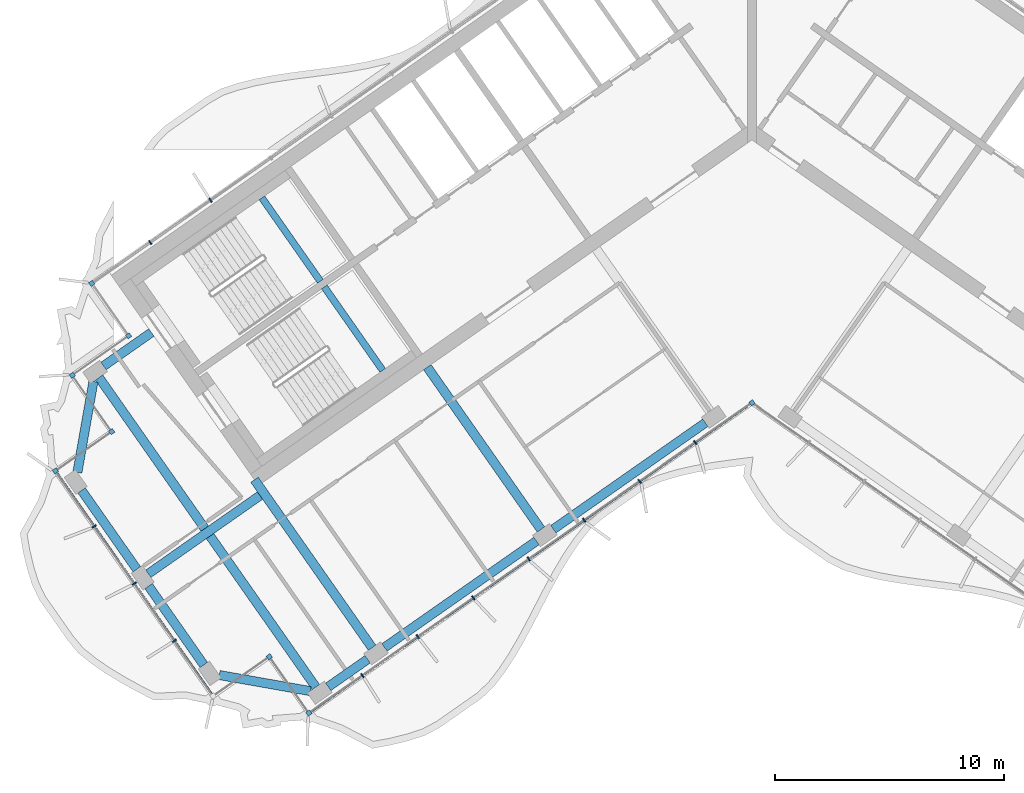
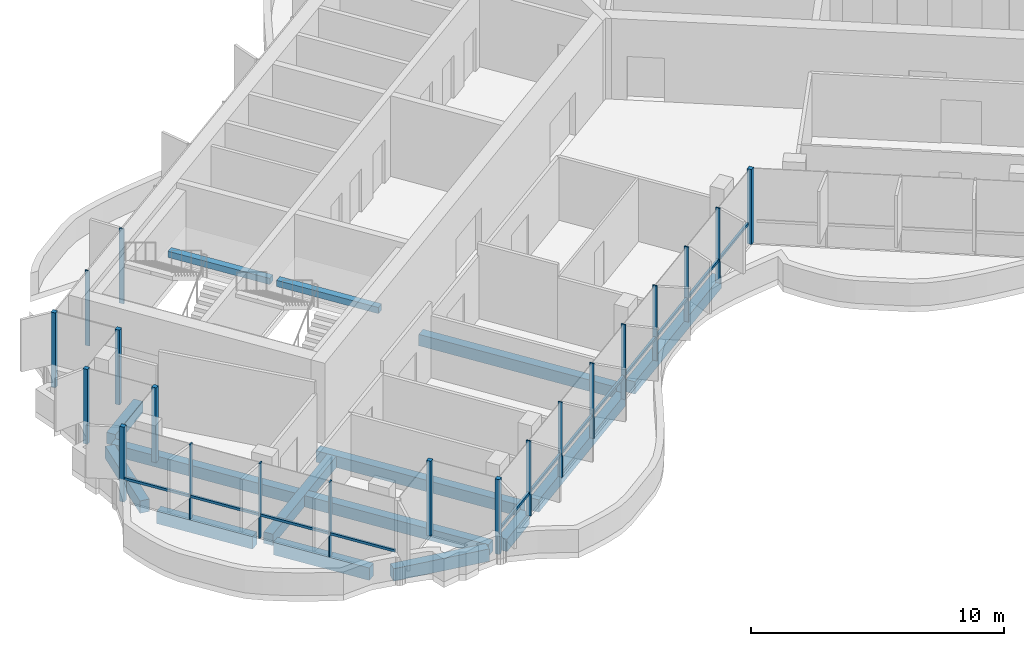
# One storey, part 2 of 18: 22 members, 14 beams, 2 elements without a shape of their own.
"""IFC4 building model written with IfcOpenShell, lengths in metres."""

from ifc_helpers import new_model, si_unit, direction, frame, origin, origin_2d, place, context, subcontext, project, spatial, rectangle, extrude, material, material_profile, profile_set, type_object, element, aggregate, save


model = new_model("IFC4")

# Units and contexts
model_context = context("Model", 3, precision=1e-05, world=origin(), true_north=direction((0.0, 1.0)))
body_context = subcontext(model_context, "Body", "Model", "MODEL_VIEW")
ifc_project = project(units=[si_unit("LENGTHUNIT", "METRE"), si_unit("AREAUNIT", "SQUARE_METRE"), si_unit("VOLUMEUNIT", "CUBIC_METRE"), si_unit("PLANEANGLEUNIT", "RADIAN"), si_unit("MASSUNIT", "GRAM", prefix="KILO")], contexts=[model_context])

# Site, building, storey
site_placement = place(None, origin())
site = spatial("IfcSite", under=ifc_project, at=site_placement, CompositionType="ELEMENT")
building_placement = place(site_placement, origin())
building = spatial("IfcBuilding", under=site, at=building_placement, Name="Tel Ilan Convention Tower", CompositionType="ELEMENT")
storey_placement = place(building_placement, frame((0.0, 0.0, 303.39990234375)))
storey = spatial("IfcBuildingStorey", under=building, at=storey_placement, Name="L72", CompositionType="ELEMENT", Elevation=303.39990234375)

# Beams
ifc_material_1 = material(Name="Concrete C40/50", Category="concrete")
ifc_material_profile_1 = material_profile(ifc_material_1, rectangle(XDim=0.39990234375, YDim=0.550048828125, at=origin_2d()), Name="RC 400x550")
ifc_profile_set_1 = profile_set([ifc_material_profile_1], Name="Concrete C40/50")
beam_type_1 = type_object("IfcBeamType", Name="Beam RC 400x550 Concrete C40/50", PredefinedType="BEAM", material=ifc_profile_set_1)
beam_1_placement = place(storey_placement, frame((-28.306884765625, -11.09228515625, -0.554931640625), z_axis=(0.819119449707, 0.573622983424, 0.0), x_axis=(-0.573622983424, 0.819119449707, 0.0)))
element("IfcBeam", 1, at=beam_1_placement, inside=storey, type_object=beam_type_1, Name="L72 beam W-W-BC-core", PredefinedType="BEAM", context=body_context, shape_type="SweptSolid", body=[
    extrude(rectangle(XDim=0.39990234375, YDim=0.550048828125, at=origin_2d()), origin(), (0.0, 0.0, 1.0), 2.5498046875),
])
beam_2_placement = place(storey_placement, frame((-9.209716796875, -18.229248046875, -0.554931640625), z_axis=(-0.573574099654, 0.819153680457, 0.0), x_axis=(-0.819153680457, -0.573574099654, 0.0)))
element("IfcBeam", 2, at=beam_2_placement, inside=storey, type_object=beam_type_1, Name="L72 beam W-W-F2-core", PredefinedType="BEAM", context=body_context, shape_type="SweptSolid", body=[
    extrude(rectangle(XDim=0.39990234375, YDim=0.550048828125, at=origin_2d()), origin(), (0.0, 0.0, 1.0), 8.64990234375),
])
beam_3_placement = place(storey_placement, frame((-16.58203125, -23.391357421875, -0.554931640625), z_axis=(-0.573584999642, 0.819146048141, 0.0), x_axis=(-0.819146048141, -0.573584999642, 0.0)))
element("IfcBeam", 3, at=beam_3_placement, inside=storey, type_object=beam_type_1, Name="L72 beam W-W-F3-core", PredefinedType="BEAM", context=body_context, shape_type="SweptSolid", body=[
    extrude(rectangle(XDim=0.39990234375, YDim=0.550048828125, at=origin_2d()), origin(), (0.0, 0.0, 1.0), 8.949951171875),
])
beam_4_placement = place(storey_placement, frame((-21.477783203125, -16.748046875, -0.554931640625), z_axis=(-0.819150951061, -0.57357799764, 0.0), x_axis=(0.57357799764, -0.819150951061, 0.0)))
element("IfcBeam", 4, at=beam_4_placement, inside=storey, type_object=beam_type_1, Name="L72 beam W-core-end", PredefinedType="BEAM", context=body_context, shape_type="SweptSolid", body=[
    extrude(rectangle(XDim=0.39990234375, YDim=0.550048828125, at=origin_2d()), origin(), (0.0, 0.0, 1.0), 5.9501953125),
])
beam_5_placement = place(storey_placement, frame((-19.03955078125, -25.112060546875, -0.554931640625), z_axis=(-0.573584483202, 0.819146409765, 0.0), x_axis=(-0.819146409765, -0.573584483202, 0.0)))
element("IfcBeam", 5, at=beam_5_placement, inside=storey, type_object=beam_type_1, Name="L72 beam W-W-FC-W-BC", PredefinedType="BEAM", context=body_context, shape_type="SweptSolid", body=[
    extrude(rectangle(XDim=0.39990234375, YDim=0.550048828125, at=origin_2d()), origin(), (0.0, 0.0, 1.0), 16.5),
])
ifc_material_2 = material(Name="Concrete C40/50", Category="concrete")
ifc_material_profile_2 = material_profile(ifc_material_2, rectangle(XDim=0.39990234375, YDim=0.60009765625, at=origin_2d()), Name="RC 400x600")
ifc_profile_set_2 = profile_set([ifc_material_profile_2], Name="Concrete C40/50")
beam_type_2 = type_object("IfcBeamType", Name="Beam RC 400x600 Concrete C40/50", PredefinedType="BEAM", material=ifc_profile_set_2)
beam_6_placement = place(storey_placement, frame((-2.033935546875, -13.57080078125, -0.579833984375), z_axis=(-0.81914553362, -0.573585734437, 0.0), x_axis=(0.573585734437, -0.81914553362, 0.0)))
element("IfcBeam", 6, at=beam_6_placement, inside=storey, type_object=beam_type_2, Name="L72 beam W-W-F1-W-F2", PredefinedType="BEAM", context=body_context, shape_type="SweptSolid", body=[
    extrude(rectangle(XDim=0.39990234375, YDim=0.60009765625, at=origin_2d()), origin(), (0.0, 0.0, 1.0), 8.099853515625),
])
beam_7_placement = place(storey_placement, frame((-9.40625, -18.73291015625, -0.579833984375), z_axis=(-0.819155449703, -0.573571572885, 0.0), x_axis=(0.573571572885, -0.819155449703, 0.0)))
element("IfcBeam", 7, at=beam_7_placement, inside=storey, type_object=beam_type_2, Name="L72 beam W-W-F2-W-F3", PredefinedType="BEAM", context=body_context, shape_type="SweptSolid", body=[
    extrude(rectangle(XDim=0.39990234375, YDim=0.60009765625, at=origin_2d()), origin(), (0.0, 0.0, 1.0), 8.10009765625),
])
beam_8_placement = place(storey_placement, frame((-16.778564453125, -23.895263671875, -0.579833984375), z_axis=(-0.819188222026, -0.573524765719, 0.0), x_axis=(0.573524765719, -0.819188222026, 0.0)))
element("IfcBeam", 8, at=beam_8_placement, inside=storey, type_object=beam_type_2, Name="L72 beam W-W-F3-W-FC", PredefinedType="BEAM", context=body_context, shape_type="SweptSolid", body=[
    extrude(rectangle(XDim=0.39990234375, YDim=0.60009765625, at=origin_2d()), origin(), (0.0, 0.0, 1.0), 2.099853515625),
])
beam_9_placement = place(storey_placement, frame((-19.285400390625, -25.2841796875, -0.579833984375), z_axis=(-0.984804894423, 0.173664388751, 0.0), x_axis=(-0.173664388751, -0.984804894423, 0.0)))
element("IfcBeam", 9, at=beam_9_placement, inside=storey, type_object=beam_type_2, Name="L72 beam W-W-FC-W-E1", PredefinedType="BEAM", context=body_context, shape_type="SweptSolid", body=[
    extrude(rectangle(XDim=0.39990234375, YDim=0.60009765625, at=origin_2d()), origin(), (0.0, 0.0, 1.0), 4.030517578125),
])
for number, where, z_axis, x_axis, name in (
    (10, (-23.930419921875, -24.14208984375, -0.579833984375), (-0.573602778367, 0.819133598779, 0.0), (-0.819133598779, -0.573602778367, 0.0), "L72 beam W-W-E1-W-E2"),
    (11, (-26.855712890625, -19.96435546875, -0.579833984375), (-0.573602778367, 0.819133598779, 0.0), (-0.819133598779, -0.573602778367, 0.0), "L72 beam W-W-E2-W-E3"),
):
    element("IfcBeam", number, at=place(storey_placement, frame(where, z_axis=z_axis, x_axis=x_axis)), inside=storey, type_object=beam_type_2, Name=name, PredefinedType="BEAM", context=body_context, shape_type="SweptSolid", body=[
        extrude(rectangle(XDim=0.39990234375, YDim=0.60009765625, at=origin_2d()), origin(), (0.0, 0.0, 1.0), 4.2001953125),
    ])
beam_10_placement = place(storey_placement, frame((-29.44921875, -15.737548828125, -0.579833984375), z_axis=(0.173664388751, 0.984804894423, 0.0), x_axis=(-0.984804894423, 0.173664388751, 0.0)))
element("IfcBeam", 12, at=beam_10_placement, inside=storey, type_object=beam_type_2, Name="L72 beam W-W-E3-W-BC", PredefinedType="BEAM", context=body_context, shape_type="SweptSolid", body=[
    extrude(rectangle(XDim=0.39990234375, YDim=0.60009765625, at=origin_2d()), origin(), (0.0, 0.0, 1.0), 4.030517578125),
])

# Curtain wall, members
ifc_material_3 = material(Name="Aluminium, bronze anodised", Category="aluminium")
curtain_wall_type_1 = type_object("IfcCurtainWallType", Name="CW2 STICK CURTAIN WALL, SPANDREL PANELS", PredefinedType="NOTDEFINED", material=ifc_material_3)
curtain_wall_1_placement = place(storey_placement, origin())
curtain_wall_1 = element("IfcCurtainWall", 13, at=curtain_wall_1_placement, inside=storey, type_object=curtain_wall_type_1, Name="Curtain wall CW2-54.01", PredefinedType="NOTDEFINED")
ifc_material_4 = material(Name="Aluminium, bronze anodised", Category="aluminium")
ifc_material_profile_3 = material_profile(ifc_material_4, rectangle(XDim=0.199951171875, YDim=0.199951171875, at=origin_2d()), Name="CW CORNER MULLION 200x200")
ifc_profile_set_3 = profile_set([ifc_material_profile_3], Name="Aluminium, bronze anodised")
member_type_1 = type_object("IfcMemberType", Name="CW CORNER MULLION 200x200", PredefinedType="MULLION", material=ifc_profile_set_3)
member_1_placement = place(storey_placement, frame((-28.819580078125, -7.483642578125, 0.0), z_axis=(0.0, 0.0, 1.0), x_axis=(-0.819152044289, -0.573576436351, 0.0)))
member_1 = element("IfcMember", 14, at=member_1_placement, type_object=member_type_1, Name="Corner mullion", PredefinedType="MULLION", context=body_context, shape_type="SweptSolid", body=[
    extrude(rectangle(XDim=0.199951171875, YDim=0.199951171875, at=origin_2d()), origin(), (0.0, 0.0, 1.0), 3.6201171875),
])
member_2_placement = place(storey_placement, frame((-27.213623046875, -9.77734375, 0.0), z_axis=(0.0, 0.0, 1.0), x_axis=(0.573576436351, -0.819152044289, 0.0)))
member_2 = element("IfcMember", 15, at=member_2_placement, type_object=member_type_1, Name="Corner mullion", PredefinedType="MULLION", context=body_context, shape_type="SweptSolid", body=[
    extrude(rectangle(XDim=0.199951171875, YDim=0.199951171875, at=origin_2d()), origin(), (0.0, 0.0, 1.0), 3.6201171875),
])

ifc_material_5 = material(Name="Aluminium, bronze anodised", Category="aluminium")
curtain_wall_type_2 = type_object("IfcCurtainWallType", Name="CW5 STICK CURTAIN WALL, UPPER OFFICE LOW-IRON TINTED GLASS", PredefinedType="NOTDEFINED", material=ifc_material_5)
curtain_wall_2_placement = place(storey_placement, origin())
curtain_wall_2 = element("IfcCurtainWall", 16, at=curtain_wall_2_placement, inside=storey, type_object=curtain_wall_type_2, Name="Curtain wall CW5-54.02", PredefinedType="NOTDEFINED")
member_3_placement = place(storey_placement, frame((-29.6708984375, -11.498046875, 0.0), z_axis=(0.0, 0.0, 1.0), x_axis=(-0.819152044289, -0.573576436351, 0.0)))
member_3 = element("IfcMember", 17, at=member_3_placement, type_object=member_type_1, Name="Corner mullion", PredefinedType="MULLION", context=body_context, shape_type="SweptSolid", body=[
    extrude(rectangle(XDim=0.199951171875, YDim=0.199951171875, at=origin_2d()), origin(), (0.0, 0.0, 1.0), 3.6201171875),
])
member_4_placement = place(storey_placement, frame((-27.9501953125, -13.955322265625, 0.0), z_axis=(0.0, 0.0, 1.0), x_axis=(0.573576436351, -0.819152044289, 0.0)))
member_4 = element("IfcMember", 18, at=member_4_placement, type_object=member_type_1, Name="Corner mullion", PredefinedType="MULLION", context=body_context, shape_type="SweptSolid", body=[
    extrude(rectangle(XDim=0.199951171875, YDim=0.199951171875, at=origin_2d()), origin(), (0.0, 0.0, 1.0), 3.6201171875),
])
member_5_placement = place(storey_placement, frame((-30.40771484375, -15.676025390625, 0.0), z_axis=(0.0, 0.0, 1.0), x_axis=(-0.819152044289, -0.573576436351, 0.0)))
member_5 = element("IfcMember", 19, at=member_5_placement, type_object=member_type_1, Name="Corner mullion", PredefinedType="MULLION", context=body_context, shape_type="SweptSolid", body=[
    extrude(rectangle(XDim=0.199951171875, YDim=0.199951171875, at=origin_2d()), origin(), (0.0, 0.0, 1.0), 3.6201171875),
])
member_6_placement = place(storey_placement, frame((-21.0673828125, -23.78515625, 0.0), z_axis=(0.0, 0.0, 1.0), x_axis=(0.819152044289, 0.573576436351, 0.0)))
member_6 = element("IfcMember", 20, at=member_6_placement, type_object=member_type_1, Name="Corner mullion", PredefinedType="MULLION", context=body_context, shape_type="SweptSolid", body=[
    extrude(rectangle(XDim=0.199951171875, YDim=0.199951171875, at=origin_2d()), origin(), (0.0, 0.0, 1.0), 3.6201171875),
])
member_7_placement = place(storey_placement, frame((-19.3466796875, -26.24267578125, 0.0), z_axis=(0.0, 0.0, 1.0), x_axis=(0.573576436351, -0.819152044289, 0.0)))
member_7 = element("IfcMember", 21, at=member_7_placement, type_object=member_type_1, Name="Corner mullion", PredefinedType="MULLION", context=body_context, shape_type="SweptSolid", body=[
    extrude(rectangle(XDim=0.199951171875, YDim=0.199951171875, at=origin_2d()), origin(), (0.0, 0.0, 1.0), 3.6201171875),
])
member_8_placement = place(storey_placement, frame((0.0, -12.696044921875, 0.0), z_axis=(0.0, 0.0, 1.0), x_axis=(0.819152044289, 0.573576436351, 0.0)))
member_8 = element("IfcMember", 22, at=member_8_placement, type_object=member_type_1, Name="Corner mullion", PredefinedType="MULLION", context=body_context, shape_type="SweptSolid", body=[
    extrude(rectangle(XDim=0.199951171875, YDim=0.199951171875, at=origin_2d()), origin(), (0.0, 0.0, 1.0), 3.6201171875),
])

# Member
ifc_material_6 = material(Name="Aluminium, bronze anodised", Category="aluminium")
ifc_material_profile_4 = material_profile(ifc_material_6, rectangle(XDim=0.06005859375, YDim=0.199951171875, at=origin_2d()), Name="CW MULLION 60x200")
ifc_profile_set_4 = profile_set([ifc_material_profile_4], Name="Aluminium, bronze anodised")
member_type_2 = type_object("IfcMemberType", Name="CW MULLION 60x200", PredefinedType="MULLION", material=ifc_profile_set_4)
member_9_placement = place(storey_placement, frame((-23.63623046875, -3.854248046875, 0.0), z_axis=(0.0, 0.0, 1.0), x_axis=(-0.819152044289, -0.573576436351, 0.0)))
member_9 = element("IfcMember", 23, at=member_9_placement, type_object=member_type_2, Name="Mullion", PredefinedType="MULLION", context=body_context, shape_type="SweptSolid", body=[
    extrude(rectangle(XDim=0.06005859375, YDim=0.199951171875, at=origin_2d()), origin(), (0.0, 0.0, 1.0), 3.6201171875),
])

member_10_placement = place(storey_placement, frame((-26.268798828125, -5.697509765625, 0.0), z_axis=(0.0, 0.0, 1.0), x_axis=(-0.819152044289, -0.573576436351, 0.0)))
member_10 = element("IfcMember", 24, at=member_10_placement, type_object=member_type_2, Name="Mullion", PredefinedType="MULLION", context=body_context, shape_type="SweptSolid", body=[
    extrude(rectangle(XDim=0.06005859375, YDim=0.199951171875, at=origin_2d()), origin(), (0.0, 0.0, 1.0), 3.6201171875),
])

aggregate(curtain_wall_1, [member_9, member_10, member_1, member_2])

member_11_placement = place(storey_placement, frame((-28.715576171875, -18.092529296875, 0.0), z_axis=(0.0, 0.0, 1.0), x_axis=(0.573576436351, -0.819152044289, 0.0)))
member_11 = element("IfcMember", 25, at=member_11_placement, type_object=member_type_2, Name="Mullion", PredefinedType="MULLION", context=body_context, shape_type="SweptSolid", body=[
    extrude(rectangle(XDim=0.06005859375, YDim=0.199951171875, at=origin_2d()), origin(), (0.0, 0.0, 1.0), 3.6201171875),
])

member_12_placement = place(storey_placement, frame((-26.96630859375, -20.591064453125, 0.0), z_axis=(0.0, 0.0, 1.0), x_axis=(0.573576436351, -0.819152044289, 0.0)))
member_12 = element("IfcMember", 26, at=member_12_placement, type_object=member_type_2, Name="Mullion", PredefinedType="MULLION", context=body_context, shape_type="SweptSolid", body=[
    extrude(rectangle(XDim=0.06005859375, YDim=0.199951171875, at=origin_2d()), origin(), (0.0, 0.0, 1.0), 3.6201171875),
])

member_13_placement = place(storey_placement, frame((-25.216796875, -23.08935546875, 0.0), z_axis=(0.0, 0.0, 1.0), x_axis=(0.573576436351, -0.819152044289, 0.0)))
member_13 = element("IfcMember", 27, at=member_13_placement, type_object=member_type_2, Name="Mullion", PredefinedType="MULLION", context=body_context, shape_type="SweptSolid", body=[
    extrude(rectangle(XDim=0.06005859375, YDim=0.199951171875, at=origin_2d()), origin(), (0.0, 0.0, 1.0), 3.6201171875),
])

member_14_placement = place(storey_placement, frame((-17.007080078125, -24.6044921875, 0.0), z_axis=(0.0, 0.0, 1.0), x_axis=(0.819152044289, 0.573576436351, 0.0)))
member_14 = element("IfcMember", 28, at=member_14_placement, type_object=member_type_2, Name="Mullion", PredefinedType="MULLION", context=body_context, shape_type="SweptSolid", body=[
    extrude(rectangle(XDim=0.06005859375, YDim=0.199951171875, at=origin_2d()), origin(), (0.0, 0.0, 1.0), 3.6201171875),
])

member_15_placement = place(storey_placement, frame((-14.585693359375, -22.9091796875, 0.0), z_axis=(0.0, 0.0, 1.0), x_axis=(0.819152044289, 0.573576436351, 0.0)))
member_15 = element("IfcMember", 29, at=member_15_placement, type_object=member_type_2, Name="Mullion", PredefinedType="MULLION", context=body_context, shape_type="SweptSolid", body=[
    extrude(rectangle(XDim=0.06005859375, YDim=0.199951171875, at=origin_2d()), origin(), (0.0, 0.0, 1.0), 3.6201171875),
])

member_16_placement = place(storey_placement, frame((-12.164306640625, -21.213623046875, 0.0), z_axis=(0.0, 0.0, 1.0), x_axis=(0.819152044289, 0.573576436351, 0.0)))
member_16 = element("IfcMember", 30, at=member_16_placement, type_object=member_type_2, Name="Mullion", PredefinedType="MULLION", context=body_context, shape_type="SweptSolid", body=[
    extrude(rectangle(XDim=0.06005859375, YDim=0.199951171875, at=origin_2d()), origin(), (0.0, 0.0, 1.0), 3.6201171875),
])

member_17_placement = place(storey_placement, frame((-9.742919921875, -19.51806640625, 0.0), z_axis=(0.0, 0.0, 1.0), x_axis=(0.819152044289, 0.573576436351, 0.0)))
member_17 = element("IfcMember", 31, at=member_17_placement, type_object=member_type_2, Name="Mullion", PredefinedType="MULLION", context=body_context, shape_type="SweptSolid", body=[
    extrude(rectangle(XDim=0.06005859375, YDim=0.199951171875, at=origin_2d()), origin(), (0.0, 0.0, 1.0), 3.6201171875),
])

member_18_placement = place(storey_placement, frame((-7.321533203125, -17.82275390625, 0.0), z_axis=(0.0, 0.0, 1.0), x_axis=(0.819152044289, 0.573576436351, 0.0)))
member_18 = element("IfcMember", 32, at=member_18_placement, type_object=member_type_2, Name="Mullion", PredefinedType="MULLION", context=body_context, shape_type="SweptSolid", body=[
    extrude(rectangle(XDim=0.06005859375, YDim=0.199951171875, at=origin_2d()), origin(), (0.0, 0.0, 1.0), 3.6201171875),
])

member_19_placement = place(storey_placement, frame((-4.900146484375, -16.127197265625, 0.0), z_axis=(0.0, 0.0, 1.0), x_axis=(0.819152044289, 0.573576436351, 0.0)))
member_19 = element("IfcMember", 33, at=member_19_placement, type_object=member_type_2, Name="Mullion", PredefinedType="MULLION", context=body_context, shape_type="SweptSolid", body=[
    extrude(rectangle(XDim=0.06005859375, YDim=0.199951171875, at=origin_2d()), origin(), (0.0, 0.0, 1.0), 3.6201171875),
])

member_20_placement = place(storey_placement, frame((-2.478759765625, -14.431640625, 0.0), z_axis=(0.0, 0.0, 1.0), x_axis=(0.819152044289, 0.573576436351, 0.0)))
member_20 = element("IfcMember", 34, at=member_20_placement, type_object=member_type_2, Name="Mullion", PredefinedType="MULLION", context=body_context, shape_type="SweptSolid", body=[
    extrude(rectangle(XDim=0.06005859375, YDim=0.199951171875, at=origin_2d()), origin(), (0.0, 0.0, 1.0), 3.6201171875),
])

ifc_material_7 = material(Name="Aluminium, bronze anodised", Category="aluminium")
ifc_material_profile_5 = material_profile(ifc_material_7, rectangle(XDim=0.10009765625, YDim=0.1201171875, at=origin_2d()), Name="CW TRANSOM 100x120")
ifc_profile_set_5 = profile_set([ifc_material_profile_5], Name="Aluminium, bronze anodised")
member_type_3 = type_object("IfcMemberType", Name="CW TRANSOM 100x120", PredefinedType="USERDEFINED", material=ifc_profile_set_5)
member_21_placement = place(storey_placement, frame((-30.350341796875, -15.758056640625, 1.10009765625), z_axis=(0.573581755582, -0.819148319698, 0.0), x_axis=(0.819148319698, 0.573581755582, 0.0)))
member_21 = element("IfcMember", 35, at=member_21_placement, type_object=member_type_3, Name="Transom", ObjectType="TRANSOM", PredefinedType="USERDEFINED", context=body_context, shape_type="SweptSolid", body=[
    extrude(rectangle(XDim=0.10009765625, YDim=0.1201171875, at=origin_2d()), origin(), (0.0, 0.0, 1.0), 11.800048828125),
])

member_22_placement = place(storey_placement, frame((-19.2646484375, -26.185302734375, 1.10009765625), z_axis=(0.81915001336, 0.573579336808, 0.0), x_axis=(-0.573579336808, 0.81915001336, 0.0)))
member_22 = element("IfcMember", 36, at=member_22_placement, type_object=member_type_3, Name="Transom", ObjectType="TRANSOM", PredefinedType="USERDEFINED", context=body_context, shape_type="SweptSolid", body=[
    extrude(rectangle(XDim=0.10009765625, YDim=0.1201171875, at=origin_2d()), origin(), (0.0, 0.0, 1.0), 23.247802734375),
])

aggregate(curtain_wall_2, [member_3, member_4, member_5, member_11, member_12, member_13, member_21, member_6, member_7, member_14, member_15, member_16, member_17, member_18, member_19, member_20, member_8, member_22])

# Beams
ifc_material_8 = material(Name="Concrete C40/50", Category="concrete")
ifc_material_profile_6 = material_profile(ifc_material_8, rectangle(XDim=0.300048828125, YDim=0.300048828125, at=origin_2d()), Name="RC 300x300")
ifc_profile_set_6 = profile_set([ifc_material_profile_6], Name="Concrete C40/50")
beam_type_3 = type_object("IfcBeamType", Name="Landing Beam RC 300x300 Concrete C40/50", PredefinedType="BEAM", material=ifc_profile_set_6)
beam_11_placement = place(storey_placement, frame((-18.841796875, -7.394287109375, 1.60009765625), z_axis=(-0.573547030514, 0.819172633691, 0.0), x_axis=(-0.819172633691, -0.573547030514, 0.0)))
element("IfcBeam", 37, at=beam_11_placement, inside=storey, type_object=beam_type_3, Name="S1 landing beam L72.1", PredefinedType="BEAM", context=body_context, shape_type="SweptSolid", body=[
    extrude(rectangle(XDim=0.300048828125, YDim=0.300048828125, at=origin_2d()), origin(), (0.0, 0.0, 1.0), 4.449951171875),
])
beam_12_placement = place(storey_placement, frame((-16.1171875, -11.285400390625, 1.60009765625), z_axis=(-0.573583844845, 0.819146856756, 0.0), x_axis=(-0.819146856756, -0.573583844845, 0.0)))
element("IfcBeam", 38, at=beam_12_placement, inside=storey, type_object=beam_type_3, Name="S2 landing beam L72.1", PredefinedType="BEAM", context=body_context, shape_type="SweptSolid", body=[
    extrude(rectangle(XDim=0.300048828125, YDim=0.300048828125, at=origin_2d()), origin(), (0.0, 0.0, 1.0), 4.4501953125),
])

save(model, "model.ifc")
